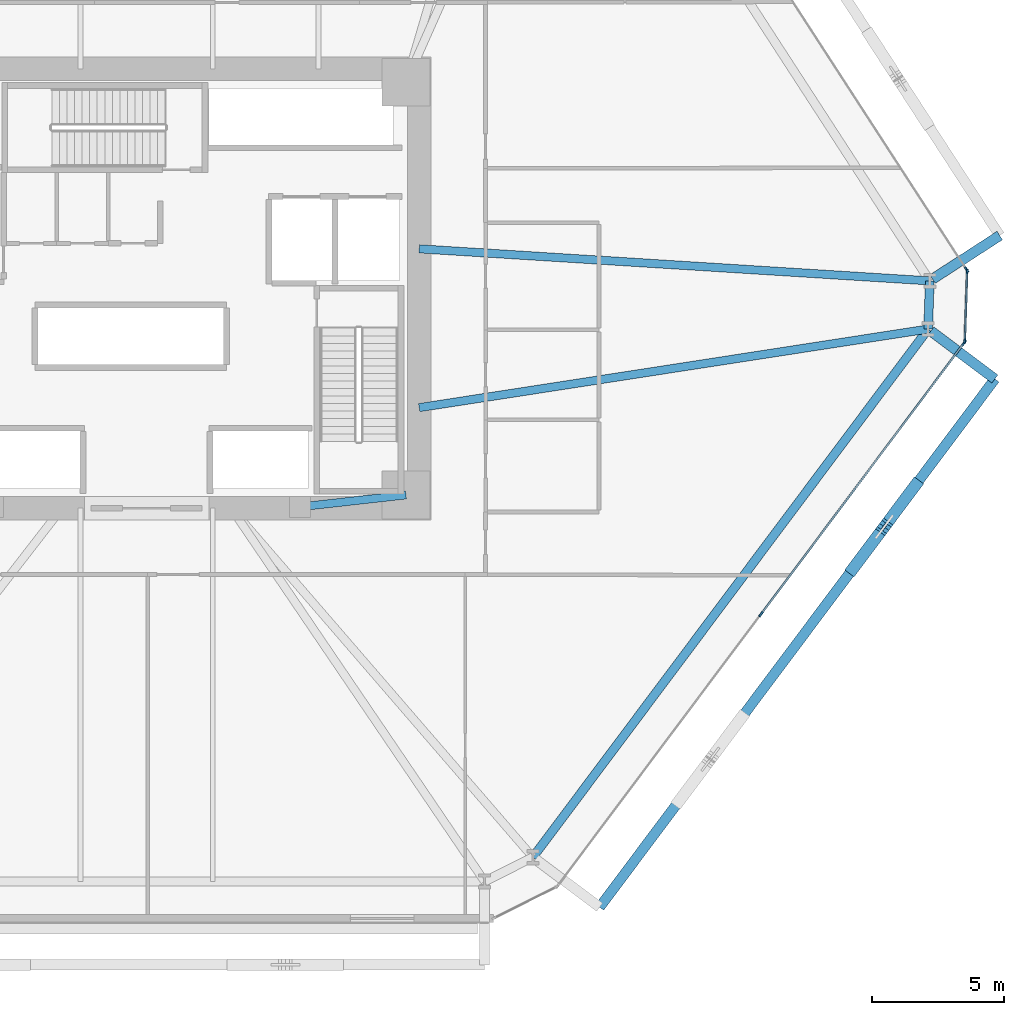
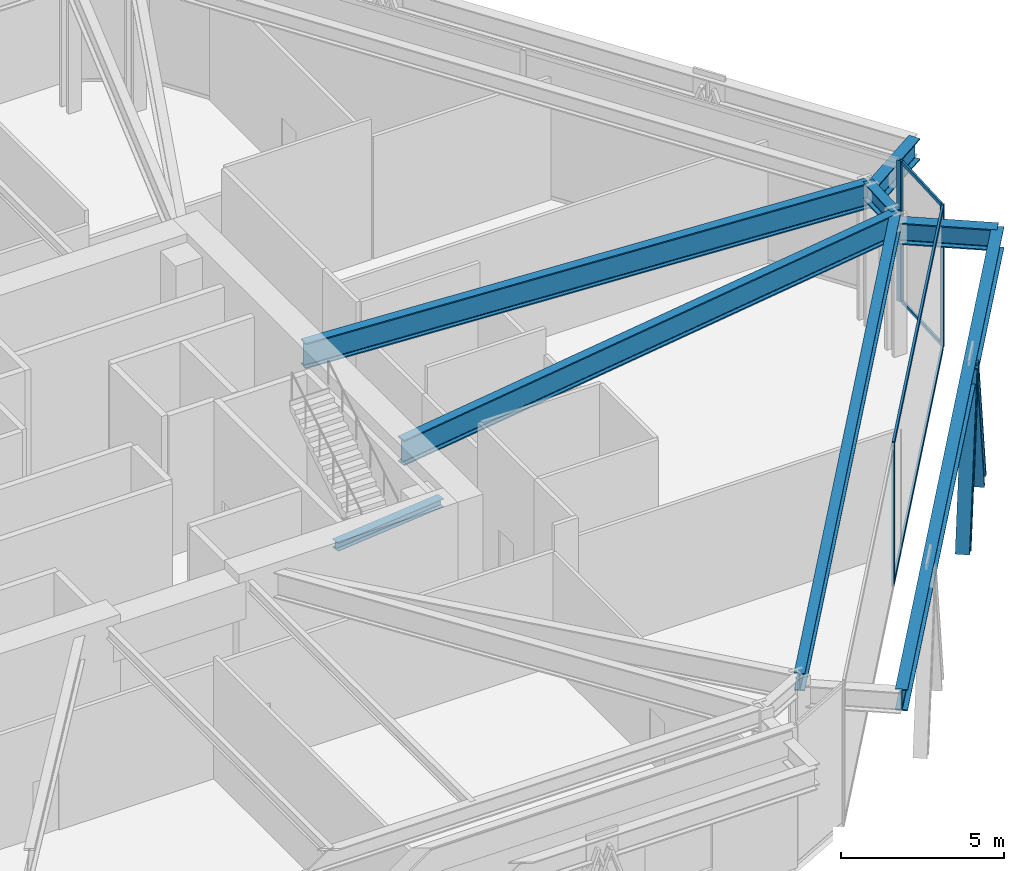
# One storey, part 6 of 23: 11 members, 8 beams, 3 elements without a shape of their own.
"""IFC4 building model written with IfcOpenShell, lengths in metres."""

from ifc_helpers import new_model, si_unit, direction, frame, origin, origin_2d, place, context, subcontext, project, spatial, rectangle, i_section, extrude, source, transform, mapped, material, layer, layer_set, material_profile, profile_set, type_object, type_shapes, element, aggregate, save


model = new_model("IFC4")

# Units and contexts
model_context = context("Model", 3, precision=1e-05, world=origin(), true_north=direction((0.0, 1.0)))
body_context = subcontext(model_context, "Body", "Model", "MODEL_VIEW")
ifc_project = project(units=[si_unit("LENGTHUNIT", "METRE"), si_unit("AREAUNIT", "SQUARE_METRE"), si_unit("VOLUMEUNIT", "CUBIC_METRE"), si_unit("PLANEANGLEUNIT", "RADIAN"), si_unit("MASSUNIT", "GRAM", prefix="KILO")], contexts=[model_context])

# Site, building, storey
site_placement = place(None, origin())
site = spatial("IfcSite", under=ifc_project, at=site_placement, CompositionType="ELEMENT")
building_placement = place(site_placement, origin())
building = spatial("IfcBuilding", under=site, at=building_placement, Name="Durnholm Broadcast Tower", CompositionType="ELEMENT")
storey_placement = place(building_placement, frame((0.0, 0.0, 21.199951171875)))
storey = spatial("IfcBuildingStorey", under=building, at=storey_placement, Name="L04", CompositionType="ELEMENT", Elevation=21.199951171875)

# Beams
ifc_material_1 = material(Name="Steel ASTM A992 Grade 50", Category="steel")
ifc_material_profile_1 = material_profile(ifc_material_1, i_section(OverallWidth=0.3330078125, OverallDepth=0.660888671875, WebThickness=0.0244140625, FlangeThickness=0.0439453125, FilletRadius=0.02783203125, at=origin_2d()), Name="W24X229")
ifc_profile_set_1 = profile_set([ifc_material_profile_1], Name="Steel ASTM A992 Grade 50")
beam_type_1 = type_object("IfcBeamType", Name="STL-SP-W24X229", PredefinedType="SPANDREL", material=ifc_profile_set_1)
shared_shape_1 = source(origin(), body_context, "Body", "SweptSolid", [
    extrude(i_section(OverallWidth=0.3330078125, OverallDepth=0.660888671875, WebThickness=0.0244140625, FlangeThickness=0.0439453125, FilletRadius=0.02783203125, at=origin_2d()), origin(), (0.0, 0.0, 1.0), 1.820068359375),
])
beam_1_placement = place(storey_placement, frame((29.590576171875, 0.28857421875, 4.9345703125), z_axis=(-0.033667655889, -0.999433083776, 0.0), x_axis=(0.999433083776, -0.033667655889, 0.0)))
element("IfcBeam", 1, at=beam_1_placement, inside=storey, type_object=beam_type_1, Name="L04 perimeter spandrel girder 08", PredefinedType="SPANDREL", context=body_context, shape_type="MappedRepresentation", body=[
    mapped(shared_shape_1, transform((0.0, 0.0, 0.0), x_axis=(1.0, 0.0, 0.0), y_axis=(0.0, 1.0, 0.0), z_axis=(0.0, 0.0, 1.0), scale=1.0)),
])
shared_shape_2 = source(origin(), body_context, "Body", "SweptSolid", [
    extrude(i_section(OverallWidth=0.3330078125, OverallDepth=0.660888671875, WebThickness=0.0244140625, FlangeThickness=0.0439453125, FilletRadius=0.02783203125, at=origin_2d()), origin(), (0.0, 0.0, 1.0), 24.926513671875),
])
type_shapes(beam_type_1, [shared_shape_1, shared_shape_2])
beam_2_placement = place(storey_placement, frame((29.529296875, -1.530517578125, 4.9345703125), z_axis=(-0.599153427318, -0.800634230178, 0.0), x_axis=(0.800634230178, -0.599153427318, 0.0)))
element("IfcBeam", 2, at=beam_2_placement, inside=storey, type_object=beam_type_1, Name="L04 perimeter spandrel girder 09", PredefinedType="SPANDREL", context=body_context, shape_type="MappedRepresentation", body=[
    mapped(shared_shape_2, transform((0.0, 0.0, 0.0), x_axis=(1.0, 0.0, 0.0), y_axis=(0.0, 1.0, 0.0), z_axis=(0.0, 0.0, 1.0), scale=1.0)),
])
ifc_material_profile_2 = material_profile(ifc_material_1, i_section(OverallWidth=0.3046875, OverallDepth=0.307861328125, WebThickness=0.010009765625, FlangeThickness=0.015380859375, FilletRadius=0.019287109375, at=origin_2d()), Name="W12X65")
ifc_profile_set_2 = profile_set([ifc_material_profile_2], Name="Steel ASTM A992 Grade 50")
beam_type_2 = type_object("IfcBeamType", Name="STL-BL-W12X65", PredefinedType="LINTEL", material=ifc_profile_set_2)
shared_shape_3 = source(origin(), body_context, "Body", "SweptSolid", [
    extrude(i_section(OverallWidth=0.3046875, OverallDepth=0.307861328125, WebThickness=0.010009765625, FlangeThickness=0.015380859375, FilletRadius=0.019287109375, at=origin_2d()), origin(), (0.0, 0.0, 1.0), 4.025146484375),
])
type_shapes(beam_type_2, [shared_shape_3])
beam_3_placement = place(storey_placement, frame((9.800048828125, -7.800048828125, 5.111083984375), z_axis=(-0.993732663715, -0.111782794142, 0.0), x_axis=(0.111782794142, -0.993732663715, 0.0)))
element("IfcBeam", 3, at=beam_3_placement, inside=storey, type_object=beam_type_2, Name="L04 east pilaster tie lintel", PredefinedType="LINTEL", context=body_context, shape_type="MappedRepresentation", body=[
    mapped(shared_shape_3, transform((0.0, 0.0, 0.0), x_axis=(1.0, 0.0, 0.0), y_axis=(0.0, 1.0, 0.0), z_axis=(0.0, 0.0, 1.0), scale=1.0)),
])
ifc_material_profile_3 = material_profile(ifc_material_1, i_section(OverallWidth=0.385009765625, OverallDepth=0.802978515625, WebThickness=0.023681640625, FlangeThickness=0.0419921875, FilletRadius=0.032958984375, at=origin_2d()), Name="W30X261")
ifc_profile_set_3 = profile_set([ifc_material_profile_3], Name="Steel ASTM A992 Grade 50")
beam_type_3 = type_object("IfcBeamType", Name="BM-EXO-TIE", PredefinedType="USERDEFINED", material=ifc_profile_set_3)
shared_shape_4 = source(origin(), body_context, "Body", "SweptSolid", [
    extrude(i_section(OverallWidth=0.385009765625, OverallDepth=0.802978515625, WebThickness=0.023681640625, FlangeThickness=0.0419921875, FilletRadius=0.032958984375, at=origin_2d()), origin(), (0.0, 0.0, 1.0), 3.024169921875),
])
beam_4_placement = place(storey_placement, frame((29.63037109375, -1.60595703125, 4.528564453125), z_axis=(0.800609912919, -0.599185920509, 0.0), x_axis=(0.599185920509, 0.800609912919, 0.0)))
element("IfcBeam", 4, at=beam_4_placement, inside=storey, type_object=beam_type_3, Name="L04 exoskeleton stand-off tie bracket F2.2", ObjectType="GIRDER", PredefinedType="USERDEFINED", context=body_context, shape_type="MappedRepresentation", body=[
    mapped(shared_shape_4, transform((0.0, 0.0, 0.0), x_axis=(1.0, 0.0, 0.0), y_axis=(0.0, 1.0, 0.0), z_axis=(0.0, 0.0, 1.0), scale=1.0)),
])
shared_shape_5 = source(origin(), body_context, "Body", "SweptSolid", [
    extrude(i_section(OverallWidth=0.385009765625, OverallDepth=0.802978515625, WebThickness=0.023681640625, FlangeThickness=0.0419921875, FilletRadius=0.032958984375, at=origin_2d()), origin(), (0.0, 0.0, 1.0), 24.9267578125),
])
beam_5_placement = place(storey_placement, frame((17.116455078125, -23.375, 4.528564453125), z_axis=(0.599159705628, 0.800629531776, 0.0), x_axis=(-0.800629531776, 0.599159705628, 0.0)))
element("IfcBeam", 5, at=beam_5_placement, inside=storey, type_object=beam_type_3, Name="L04 exoskeleton collector spandrel F2", PredefinedType="SPANDREL", context=body_context, shape_type="MappedRepresentation", body=[
    mapped(shared_shape_5, transform((0.0, 0.0, 0.0), x_axis=(1.0, 0.0, 0.0), y_axis=(0.0, 1.0, 0.0), z_axis=(0.0, 0.0, 1.0), scale=1.0)),
])
shared_shape_6 = source(origin(), body_context, "Body", "SweptSolid", [
    extrude(i_section(OverallWidth=0.385009765625, OverallDepth=0.802978515625, WebThickness=0.023681640625, FlangeThickness=0.0419921875, FilletRadius=0.032958984375, at=origin_2d()), origin(), (0.0, 0.0, 1.0), 3.02392578125),
])
type_shapes(beam_type_3, [shared_shape_4, shared_shape_5, shared_shape_6])
beam_6_placement = place(storey_placement, frame((29.6962890625, 0.357177734375, 4.528564453125), z_axis=(0.838989179675, 0.544148101521, 0.0), x_axis=(-0.544148101521, 0.838989179675, 0.0)))
element("IfcBeam", 6, at=beam_6_placement, inside=storey, type_object=beam_type_3, Name="L04 exoskeleton stand-off tie bracket F3.1", ObjectType="GIRDER", PredefinedType="USERDEFINED", context=body_context, shape_type="MappedRepresentation", body=[
    mapped(shared_shape_6, transform((0.0, 0.0, 0.0), x_axis=(1.0, 0.0, 0.0), y_axis=(0.0, 1.0, 0.0), z_axis=(0.0, 0.0, 1.0), scale=1.0)),
])
ifc_material_profile_4 = material_profile(ifc_material_1, i_section(OverallWidth=0.310302734375, OverallDepth=0.950439453125, WebThickness=0.0244140625, FlangeThickness=0.0439453125, FilletRadius=0.0380859375, at=origin_2d()), Name="W36X256")
ifc_profile_set_4 = profile_set([ifc_material_profile_4], Name="Steel ASTM A992 Grade 50")
beam_type_4 = type_object("IfcBeamType", Name="STL-GR-W36X256", PredefinedType="USERDEFINED", material=ifc_profile_set_4)
shared_shape_7 = source(origin(), body_context, "Body", "SweptSolid", [
    extrude(i_section(OverallWidth=0.310302734375, OverallDepth=0.950439453125, WebThickness=0.0244140625, FlangeThickness=0.0439453125, FilletRadius=0.0380859375, at=origin_2d()), origin(), (0.0, 0.0, 1.0), 19.32861328125),
])
beam_7_placement = place(storey_placement, frame((10.300048828125, 1.5, 4.789794921875), z_axis=(0.998033956176, -0.062675532065, 0.0), x_axis=(0.062675532065, 0.998033956176, 0.0)))
element("IfcBeam", 7, at=beam_7_placement, inside=storey, type_object=beam_type_4, Name="L04 radial primary floor girder 08", ObjectType="GIRDER", PredefinedType="USERDEFINED", context=body_context, shape_type="MappedRepresentation", body=[
    mapped(shared_shape_7, transform((0.0, 0.0, 0.0), x_axis=(1.0, 0.0, 0.0), y_axis=(0.0, 1.0, 0.0), z_axis=(0.0, 0.0, 1.0), scale=1.0)),
])
shared_shape_8 = source(origin(), body_context, "Body", "SweptSolid", [
    extrude(i_section(OverallWidth=0.310302734375, OverallDepth=0.950439453125, WebThickness=0.0244140625, FlangeThickness=0.0439453125, FilletRadius=0.0380859375, at=origin_2d()), origin(), (0.0, 0.0, 1.0), 19.457275390625),
])
type_shapes(beam_type_4, [shared_shape_7, shared_shape_8])
beam_8_placement = place(storey_placement, frame((10.300048828125, -4.5, 4.789794921875), z_axis=(0.988285519632, 0.152616289061, 0.0), x_axis=(-0.152616289061, 0.988285519632, 0.0)))
element("IfcBeam", 8, at=beam_8_placement, inside=storey, type_object=beam_type_4, Name="L04 radial primary floor girder 09", ObjectType="GIRDER", PredefinedType="USERDEFINED", context=body_context, shape_type="MappedRepresentation", body=[
    mapped(shared_shape_8, transform((0.0, 0.0, 0.0), x_axis=(1.0, 0.0, 0.0), y_axis=(0.0, 1.0, 0.0), z_axis=(0.0, 0.0, 1.0), scale=1.0)),
])

# Members
ifc_material_2 = material(Name="Steel ASTM A913 Grade 65", Category="steel")
ifc_material_profile_5 = material_profile(ifc_material_2, i_section(OverallWidth=0.44189453125, OverallDepth=0.531494140625, WebThickness=0.06591796875, FlangeThickness=0.105712890625, FilletRadius=0.030517578125, at=origin_2d()), Name="W14X605")
ifc_profile_set_5 = profile_set([ifc_material_profile_5], Name="Steel ASTM A913 Grade 65")
member_type_1 = type_object("IfcMemberType", Name="STL-DG-W14X605", PredefinedType="BRACE", material=ifc_profile_set_5)
shared_shape_9 = source(origin(), body_context, "Body", "SweptSolid", [
    extrude(i_section(OverallWidth=0.44189453125, OverallDepth=0.531494140625, WebThickness=0.06591796875, FlangeThickness=0.105712890625, FilletRadius=0.030517578125, at=origin_2d()), origin(), (0.0, 0.0, 1.0), 5.927978515625),
])
type_shapes(member_type_1, [shared_shape_9])
for number, where, z_axis, x_axis, name in (
    (9, (26.704833984375, -10.5625, -1.071533203125), (0.196490966915, 0.262591994352, 0.94468870239), (-0.800662544514, 0.599115589692, 0.0), "L04 stand-off diagrid brace F2.D2.1"),
    (10, (29.034423828125, -7.44921875, -1.071533203125), (-0.196490966915, -0.262591994352, 0.94468870239), (0.800662544514, -0.599115589692, 0.0), "L04 stand-off diagrid brace F2.D2.2"),
):
    element("IfcMember", number, at=place(storey_placement, frame(where, z_axis=z_axis, x_axis=x_axis)), inside=storey, type_object=member_type_1, Name=name, PredefinedType="BRACE", context=body_context, shape_type="MappedRepresentation", body=[
        mapped(shared_shape_9, transform((0.0, 0.0, 0.0), x_axis=(1.0, 0.0, 0.0), y_axis=(0.0, 1.0, 0.0), z_axis=(0.0, 0.0, 1.0), scale=1.0)),
    ])

# Curtain wall, members
ifc_material_3 = material(Name="Aluminium and Solar Control IGU", Category="aluminium")
ifc_layer_1 = layer(ifc_material_3, 0.1650390625)
ifc_layer_set_1 = layer_set([ifc_layer_1], Name="Aluminium and Solar Control IGU")
curtain_wall_type_1 = type_object("IfcCurtainWallType", Name="CW-SYS-5", PredefinedType="NOTDEFINED", material=ifc_layer_set_1)
curtain_wall_1_placement = place(storey_placement, origin())
curtain_wall_1 = element("IfcCurtainWall", 11, at=curtain_wall_1_placement, inside=storey, type_object=curtain_wall_type_1, Name="L04 curtain wall CW-CORNER CW-L04-CRN-07", PredefinedType="NOTDEFINED")
ifc_material_4 = material(Name="Aluminium 6063-T6", Category="aluminium")
ifc_material_profile_6 = material_profile(ifc_material_4, rectangle(XDim=0.06494140625, YDim=0.1298828125, at=origin_2d()), Name="CWT65X130")
ifc_profile_set_6 = profile_set([ifc_material_profile_6], Name="Aluminium 6063-T6")
member_type_2 = type_object("IfcMemberType", Name="CW-SYS-5-TRN", PredefinedType="USERDEFINED", material=ifc_profile_set_6)
shared_shape_10 = source(origin(), body_context, "Body", "SweptSolid", [
    extrude(rectangle(XDim=0.06494140625, YDim=0.1298828125, at=origin_2d()), origin(), (0.0, 0.0, 1.0), 2.570068359375),
])
type_shapes(member_type_2, [shared_shape_10])
member_1_placement = place(storey_placement, frame((31.002197265625, 0.616455078125, 0.032470703125), z_axis=(-0.033533074398, -0.999437608319, 0.0), x_axis=(0.999437608319, -0.033533074398, 0.0)))
member_1 = element("IfcMember", 12, at=member_1_placement, type_object=member_type_2, Name="CW-CORNER transom 1.1", ObjectType="TRANSOM", PredefinedType="USERDEFINED", context=body_context, shape_type="MappedRepresentation", body=[
    mapped(shared_shape_10, transform((0.0, 0.0, 0.0), x_axis=(1.0, 0.0, 0.0), y_axis=(0.0, 1.0, 0.0), z_axis=(0.0, 0.0, 1.0), scale=1.0)),
])
member_2_placement = place(storey_placement, frame((31.002197265625, 0.616455078125, 5.24755859375), z_axis=(-0.033533074398, -0.999437608319, 0.0), x_axis=(0.999437608319, -0.033533074398, 0.0)))
member_2 = element("IfcMember", 13, at=member_2_placement, type_object=member_type_2, Name="CW-CORNER transom 1.2", ObjectType="TRANSOM", PredefinedType="USERDEFINED", context=body_context, shape_type="MappedRepresentation", body=[
    mapped(shared_shape_10, transform((0.0, 0.0, 0.0), x_axis=(1.0, 0.0, 0.0), y_axis=(0.0, 1.0, 0.0), z_axis=(0.0, 0.0, 1.0), scale=1.0)),
])

ifc_layer_2 = layer(ifc_material_3, 0.219970703125)
ifc_layer_set_2 = layer_set([ifc_layer_2], Name="Aluminium and Solar Control IGU")
curtain_wall_type_2 = type_object("IfcCurtainWallType", Name="CW-SYS-2", PredefinedType="NOTDEFINED", material=ifc_layer_set_2)
curtain_wall_2_placement = place(storey_placement, origin())
curtain_wall_2 = element("IfcCurtainWall", 14, at=curtain_wall_2_placement, inside=storey, type_object=curtain_wall_type_2, Name="L04 curtain wall CW-STUDIO CW-L04-F08", PredefinedType="NOTDEFINED")
ifc_material_profile_7 = material_profile(ifc_material_4, rectangle(XDim=0.074951171875, YDim=0.179931640625, at=origin_2d()), Name="CWT75X180")
ifc_profile_set_7 = profile_set([ifc_material_profile_7], Name="Aluminium 6063-T6")
member_type_3 = type_object("IfcMemberType", Name="CW-SYS-2-TRN", PredefinedType="USERDEFINED", material=ifc_profile_set_7)
shared_shape_11 = source(origin(), body_context, "Body", "SweptSolid", [
    extrude(rectangle(XDim=0.074951171875, YDim=0.179931640625, at=origin_2d()), origin(), (0.0, 0.0, 1.0), 12.736083984375),
])
type_shapes(member_type_3, [shared_shape_11])
member_3_placement = place(storey_placement, frame((30.868896484375, -2.0771484375, 0.03759765625), z_axis=(-0.599150086167, -0.800636730513, 0.0), x_axis=(0.800636730513, -0.599150086167, 0.0)))
member_3 = element("IfcMember", 15, at=member_3_placement, type_object=member_type_3, Name="CW-STUDIO transom 1.1", ObjectType="TRANSOM", PredefinedType="USERDEFINED", context=body_context, shape_type="MappedRepresentation", body=[
    mapped(shared_shape_11, transform((0.0, 0.0, 0.0), x_axis=(1.0, 0.0, 0.0), y_axis=(0.0, 1.0, 0.0), z_axis=(0.0, 0.0, 1.0), scale=1.0)),
])
member_4_placement = place(storey_placement, frame((30.868896484375, -2.0771484375, 5.242431640625), z_axis=(-0.599150086167, -0.800636730513, 0.0), x_axis=(0.800636730513, -0.599150086167, 0.0)))
member_4 = element("IfcMember", 16, at=member_4_placement, type_object=member_type_3, Name="CW-STUDIO transom 1.2", ObjectType="TRANSOM", PredefinedType="USERDEFINED", context=body_context, shape_type="MappedRepresentation", body=[
    mapped(shared_shape_11, transform((0.0, 0.0, 0.0), x_axis=(1.0, 0.0, 0.0), y_axis=(0.0, 1.0, 0.0), z_axis=(0.0, 0.0, 1.0), scale=1.0)),
])

# Member
ifc_material_profile_8 = material_profile(ifc_material_4, rectangle(XDim=0.06494140625, YDim=0.1650390625, at=origin_2d()), Name="CWM65X165")
ifc_profile_set_8 = profile_set([ifc_material_profile_8], Name="Aluminium 6063-T6")
member_type_4 = type_object("IfcMemberType", Name="CW-SYS-5-MUL", PredefinedType="MULLION", material=ifc_profile_set_8)
shared_shape_12 = source(origin(), body_context, "Body", "SweptSolid", [
    extrude(rectangle(XDim=0.06494140625, YDim=0.1650390625, at=origin_2d()), origin(), (0.0, 0.0, 1.0), 5.280029296875),
])
type_shapes(member_type_4, [shared_shape_12])
member_5_placement = place(storey_placement, frame((31.00341796875, 0.64892578125, 0.0), z_axis=(0.0, 0.0, 1.0), x_axis=(0.999436820621, -0.033556543118, 0.0)))
member_5 = element("IfcMember", 17, at=member_5_placement, type_object=member_type_4, Name="CW-CORNER mullion 1", PredefinedType="MULLION", context=body_context, shape_type="MappedRepresentation", body=[
    mapped(shared_shape_12, transform((0.0, 0.0, 0.0), x_axis=(1.0, 0.0, 0.0), y_axis=(0.0, 1.0, 0.0), z_axis=(0.0, 0.0, 1.0), scale=1.0)),
])

member_6_placement = place(storey_placement, frame((30.9150390625, -1.984619140625, 0.0), z_axis=(0.0, 0.0, 1.0), x_axis=(0.999436820621, -0.033556543118, 0.0)))
member_6 = element("IfcMember", 18, at=member_6_placement, type_object=member_type_4, Name="CW-CORNER mullion 2", PredefinedType="MULLION", context=body_context, shape_type="MappedRepresentation", body=[
    mapped(shared_shape_12, transform((0.0, 0.0, 0.0), x_axis=(1.0, 0.0, 0.0), y_axis=(0.0, 1.0, 0.0), z_axis=(0.0, 0.0, 1.0), scale=1.0)),
])

aggregate(curtain_wall_1, [member_5, member_6, member_1, member_2])

# Curtain wall, member
curtain_wall_3_placement = place(storey_placement, origin())
curtain_wall_3 = element("IfcCurtainWall", 19, at=curtain_wall_3_placement, inside=storey, type_object=curtain_wall_type_2, Name="L04 curtain wall CW-STUDIO CW-L04-F06", PredefinedType="NOTDEFINED")
ifc_material_profile_9 = material_profile(ifc_material_4, rectangle(XDim=0.074951171875, YDim=0.219970703125, at=origin_2d()), Name="CWM75X220")
ifc_profile_set_9 = profile_set([ifc_material_profile_9], Name="Aluminium 6063-T6")
member_type_5 = type_object("IfcMemberType", Name="CW-SYS-2-MUL", PredefinedType="MULLION", material=ifc_profile_set_9)
shared_shape_13 = source(origin(), body_context, "Body", "SweptSolid", [
    extrude(rectangle(XDim=0.074951171875, YDim=0.219970703125, at=origin_2d()), origin(), (0.0, 0.0, 1.0), 5.280029296875),
])
type_shapes(member_type_5, [shared_shape_13])
member_7_placement = place(storey_placement, frame((30.984130859375, 0.712646484375, 0.0), z_axis=(0.0, 0.0, 1.0), x_axis=(0.839009373297, 0.544116964926, 0.0)))
member_7 = element("IfcMember", 20, at=member_7_placement, type_object=member_type_5, Name="CW-STUDIO mullion 3", PredefinedType="MULLION", context=body_context, shape_type="MappedRepresentation", body=[
    mapped(shared_shape_13, transform((0.0, 0.0, 0.0), x_axis=(1.0, 0.0, 0.0), y_axis=(0.0, 1.0, 0.0), z_axis=(0.0, 0.0, 1.0), scale=1.0)),
])
aggregate(curtain_wall_3, [member_7])

# Member
member_8_placement = place(storey_placement, frame((30.891357421875, -2.047119140625, 0.0), z_axis=(0.0, 0.0, 1.0), x_axis=(0.800631836327, -0.59915662615, 0.0)))
member_8 = element("IfcMember", 21, at=member_8_placement, type_object=member_type_5, Name="CW-STUDIO mullion 1", PredefinedType="MULLION", context=body_context, shape_type="MappedRepresentation", body=[
    mapped(shared_shape_13, transform((0.0, 0.0, 0.0), x_axis=(1.0, 0.0, 0.0), y_axis=(0.0, 1.0, 0.0), z_axis=(0.0, 0.0, 1.0), scale=1.0)),
])

member_9_placement = place(storey_placement, frame((23.215576171875, -12.30419921875, 0.0), z_axis=(0.0, 0.0, 1.0), x_axis=(0.800631836327, -0.59915662615, 0.0)))
member_9 = element("IfcMember", 22, at=member_9_placement, type_object=member_type_5, Name="CW-STUDIO mullion 2", PredefinedType="MULLION", context=body_context, shape_type="MappedRepresentation", body=[
    mapped(shared_shape_13, transform((0.0, 0.0, 0.0), x_axis=(1.0, 0.0, 0.0), y_axis=(0.0, 1.0, 0.0), z_axis=(0.0, 0.0, 1.0), scale=1.0)),
])

aggregate(curtain_wall_2, [member_8, member_9, member_3, member_4])

save(model, "model.ifc")
